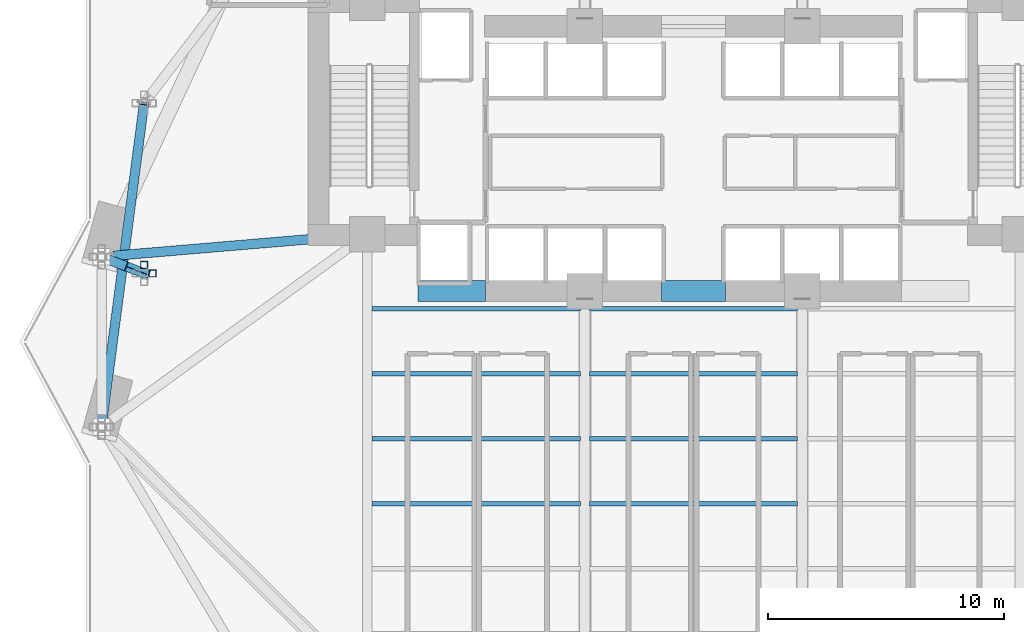
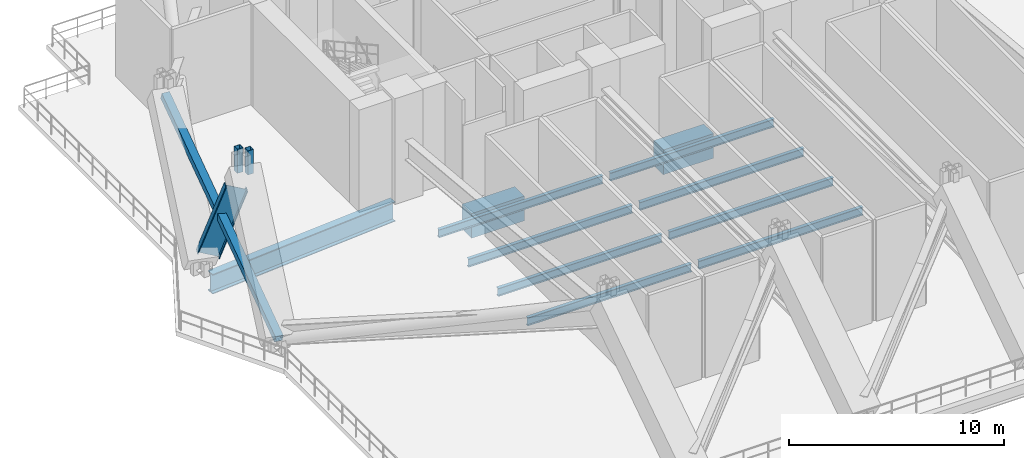
# One storey, part 3 of 21: 12 beams, 3 members.
"""IFC4 building model written with IfcOpenShell, lengths in metres."""

import ifcopenshell
import ifcopenshell.guid

model = None  # the IFC model being written
_history = None  # IfcOwnerHistory: only IFC2X3 demands one
_inside = {}  # id of a spatial element -> (the spatial element, [elements in it])
_under = {}  # id of a project, library or spatial element -> (it, [spatial elements below it])
_declared = {}  # id of a project -> (the project, [libraries it declares])
_typed = {}  # id of a type object -> (the type object, [elements of that type])
_made_of = {}  # id of a material, layer set ... -> (it, [elements and type objects made of it])


def new_model(schema):
    """Start an empty IFC model of exactly this schema.

    Asked for "IFC4X3", IfcOpenShell would pick the latest addendum, in which some entities
    have other attributes; the version numbers below select the first issue.
    IFC2X3 requires an IfcOwnerHistory on every rooted entity: one is made here for all.
    """
    global model, _history
    if schema == "IFC4X3":
        model = ifcopenshell.file(schema_version=(4, 3, 0, 0))
    else:
        model = ifcopenshell.file(schema=schema)
    _inside.clear()
    _under.clear()
    _declared.clear()
    _typed.clear()
    _made_of.clear()
    _history = None
    if model.schema == "IFC2X3":
        org = make("IfcOrganization", Name="unknown")
        user = make(
            "IfcPersonAndOrganization",
            ThePerson=make("IfcPerson", FamilyName="unknown"),
            TheOrganization=org,
        )
        app = make(
            "IfcApplication",
            ApplicationDeveloper=org,
            Version="unknown",
            ApplicationFullName="unknown",
            ApplicationIdentifier="unknown",
        )
        _history = make(
            "IfcOwnerHistory",
            OwningUser=user,
            OwningApplication=app,
            ChangeAction="ADDED",
            CreationDate=0,
        )
    return model


def make(cls, **values):
    """One entity of the class cls with the attributes given. An attribute that is None is left unset."""
    return model.create_entity(
        cls, **{name: value for name, value in values.items() if value is not None}
    )


def rooted(cls, **values):
    """An entity with a GlobalId (a new one), such as an element, a storey or a relation."""
    return make(cls, GlobalId=ifcopenshell.guid.new(), OwnerHistory=_history, **values)


def si_unit(unit_type, name, prefix=None):
    """IfcSIUnit, for example si_unit("LENGTHUNIT", "METRE", prefix="MILLI")."""
    return make("IfcSIUnit", UnitType=unit_type, Prefix=prefix, Name=name)


def assignment(units):
    """IfcUnitAssignment: the units of a project."""
    return None if units is None else make("IfcUnitAssignment", Units=units)


def point(xyz):
    """IfcCartesianPoint."""
    return None if xyz is None else make("IfcCartesianPoint", Coordinates=xyz)


def direction(xyz):
    """IfcDirection."""
    return None if xyz is None else make("IfcDirection", DirectionRatios=xyz)


def frame(location, z_axis=None, x_axis=None):
    """IfcAxis2Placement3D, a coordinate frame: its origin and axes. An axis left out is left unset."""
    return make(
        "IfcAxis2Placement3D",
        Location=point(location),
        Axis=direction(z_axis),
        RefDirection=direction(x_axis),
    )


def frame_2d(location, x_axis=None):
    """IfcAxis2Placement2D, a coordinate frame in the plane: its origin and x axis."""
    return make(
        "IfcAxis2Placement2D", Location=point(location), RefDirection=direction(x_axis)
    )


def origin():
    """The frame at (0, 0, 0) with its axes left unset."""
    return frame((0.0, 0.0, 0.0))


def origin_2d():
    """The frame at (0, 0) in the plane with its x axis left unset."""
    return frame_2d((0.0, 0.0))


def place(relative_to, where):
    """IfcLocalPlacement: puts the frame where relative to a parent placement (None: the world)."""
    return make(
        "IfcLocalPlacement", PlacementRelTo=relative_to, RelativePlacement=where
    )


def context(
    kind, dimensions, precision=None, world=None, true_north=None, identifier=None
):
    """IfcGeometricRepresentationContext, for example the 3D "Model" context."""
    return make(
        "IfcGeometricRepresentationContext",
        ContextIdentifier=identifier,
        ContextType=kind,
        CoordinateSpaceDimension=dimensions,
        Precision=precision,
        WorldCoordinateSystem=world,
        TrueNorth=true_north,
    )


def subcontext(parent, identifier, kind, view, scale=None):
    """IfcGeometricRepresentationSubContext, for example "Body" below "Model"."""
    return make(
        "IfcGeometricRepresentationSubContext",
        ContextIdentifier=identifier,
        ContextType=kind,
        ParentContext=parent,
        TargetScale=scale,
        TargetView=view,
    )


def project(units=None, contexts=None):
    """IfcProject with its units and contexts."""
    return rooted(
        "IfcProject",
        Name="project",
        RepresentationContexts=contexts,
        UnitsInContext=assignment(units),
    )


def spatial(cls, under=None, at=None, **own):
    """A site, building, storey or space (cls), placed at a placement, below another one or the project."""
    s = rooted(cls, ObjectPlacement=at, **own)
    if under is not None:
        _under.setdefault(under.id(), (under, []))[1].append(s)
    return s


def profile(cls, at=None, kind="AREA", **sizes):
    """A parametric profile (cls). Its sizes go by their IFC names, for example OverallWidth=200.0."""
    return make(cls, ProfileType=kind, Position=at, **sizes)


def rectangle(**sizes):
    """IfcRectangleProfileDef."""
    return profile("IfcRectangleProfileDef", **sizes)


def hollow_rectangle(**sizes):
    """IfcRectangleHollowProfileDef."""
    return profile("IfcRectangleHollowProfileDef", **sizes)


def i_section(**sizes):
    """IfcIShapeProfileDef."""
    return profile("IfcIShapeProfileDef", **sizes)


def extrude(swept, where, along, depth):
    """IfcExtrudedAreaSolid: the profile swept, set in the frame where, extruded along a direction by depth."""
    return make(
        "IfcExtrudedAreaSolid",
        SweptArea=swept,
        Position=where,
        ExtrudedDirection=direction(along),
        Depth=depth,
    )


def shape(context_of_items, identifier, shape_type, items):
    """IfcShapeRepresentation: the items that make up one representation, for example the "Body"."""
    return make(
        "IfcShapeRepresentation",
        ContextOfItems=context_of_items,
        RepresentationIdentifier=identifier,
        RepresentationType=shape_type,
        Items=items,
    )


def material(Name=None, Category=None):
    """IfcMaterial."""
    return make("IfcMaterial", Name=Name, Category=Category)


def material_profile(
    of_material, cross_section, Name=None, Category=None, Priority=None
):
    """IfcMaterialProfile: a cross section and its material."""
    return make(
        "IfcMaterialProfile",
        Name=Name,
        Material=of_material,
        Profile=cross_section,
        Priority=Priority,
        Category=Category,
    )


def profile_set(profiles, Name=None, composite=None):
    """IfcMaterialProfileSet."""
    return make(
        "IfcMaterialProfileSet",
        Name=Name,
        MaterialProfiles=profiles,
        CompositeProfile=composite,
    )


def made_of(thing, what):
    """Note that an element or type object is made of a material, layer set ...; save() writes the relation."""
    if what is not None:
        _made_of.setdefault(what.id(), (what, []))[1].append(thing)
    return thing


def type_object(cls, material=None, **own):
    """A type object (cls), such as IfcWallType, which elements share."""
    return made_of(rooted(cls, **own), material)


def element(
    cls,
    number,
    at=None,
    inside=None,
    cuts=None,
    type_object=None,
    material=None,
    context=None,
    identifier="Body",
    shape_type=None,
    held_by="IfcProductDefinitionShape",
    body=None,
    shapes=None,
    **own,
):
    """One element of the class cls, such as IfcWall. Its Tag is "e" and its number.

    at: its placement. inside: the storey or other place that contains it. cuts: it is an
    opening in that element (IfcRelVoidsElement). A single representation is given by context,
    identifier, shape_type and body (its items); several are given by shapes. held_by: the class
    of the entity that holds the representations. save() writes the other relations.
    """
    e = rooted(cls, Tag="e%d" % number, ObjectPlacement=at, **own)
    if body is not None:
        shapes = [shape(context, identifier, shape_type, body)]
    if shapes is not None:
        e.Representation = make(held_by, Representations=shapes)
    if inside is not None:
        _inside.setdefault(inside.id(), (inside, []))[1].append(e)
    if cuts is not None:
        rooted(
            "IfcRelVoidsElement", RelatingBuildingElement=cuts, RelatedOpeningElement=e
        )
    if type_object is not None:
        _typed.setdefault(type_object.id(), (type_object, []))[1].append(e)
    return made_of(e, material)


def aggregate(whole, parts):
    """IfcRelAggregates: a whole, such as a stair, and the parts it consists of."""
    return rooted("IfcRelAggregates", RelatingObject=whole, RelatedObjects=parts)


def save(model, path):
    """Write the relations noted so far, then the file.

    IfcRelAggregates (storeys below a building ...), IfcRelContainedInSpatialStructure (elements
    in a storey), IfcRelDefinesByType, IfcRelAssociatesMaterial and IfcRelDeclares: one each for
    every whole, place, type object, material and project.
    """
    for whole, parts in _under.values():
        aggregate(whole, parts)
    for where, things in _inside.values():
        rooted(
            "IfcRelContainedInSpatialStructure",
            RelatedElements=things,
            RelatingStructure=where,
        )
    for kind, things in _typed.values():
        rooted("IfcRelDefinesByType", RelatedObjects=things, RelatingType=kind)
    for what, things in _made_of.values():
        rooted("IfcRelAssociatesMaterial", RelatedObjects=things, RelatingMaterial=what)
    for by, libraries in _declared.values():
        rooted("IfcRelDeclares", RelatingContext=by, RelatedDefinitions=libraries)
    model.write(path)


model = new_model("IFC4")

# Units and contexts
model_context = context("Model", 3, precision=1e-05, world=origin(), true_north=direction((0.0, 1.0)))
body_context = subcontext(model_context, "Body", "Model", "MODEL_VIEW")
ifc_project = project(units=[si_unit("LENGTHUNIT", "METRE"), si_unit("AREAUNIT", "SQUARE_METRE"), si_unit("VOLUMEUNIT", "CUBIC_METRE"), si_unit("PLANEANGLEUNIT", "RADIAN"), si_unit("MASSUNIT", "GRAM", prefix="KILO")], contexts=[model_context])

# Site, building, storey
site_placement = place(None, origin())
site = spatial("IfcSite", under=ifc_project, at=site_placement, CompositionType="ELEMENT")
building_placement = place(site_placement, origin())
building = spatial("IfcBuilding", under=site, at=building_placement, Name="Zuhayl Quay Hotel", CompositionType="ELEMENT")
storey_placement = place(building_placement, frame((0.0, 0.0, 89.64990234375)))
storey = spatial("IfcBuildingStorey", under=building, at=storey_placement, Name="L22", CompositionType="ELEMENT", Elevation=89.64990234375)

# Beams
ifc_material_1 = material(Name="Concrete C60/75", Category="concrete")
ifc_material_profile_1 = material_profile(ifc_material_1, rectangle(XDim=0.89990234375, YDim=1.39990234375, at=origin_2d()), Name="RC900X1400")
ifc_profile_set_1 = profile_set([ifc_material_profile_1], Name="Concrete C60/75")
beam_type_1 = type_object("IfcBeamType", Name="BM_CB1_RC900", PredefinedType="T_BEAM", material=ifc_profile_set_1)
beam_1_placement = place(storey_placement, frame((-11.64990234375, 2.14990234375, -0.9599609375), z_axis=(1.0, 0.0, 0.0), x_axis=(0.0, 1.0, 0.0)))
element("IfcBeam", 1, at=beam_1_placement, inside=storey, type_object=beam_type_1, Name="L22 Core Coupling Beam SW", PredefinedType="T_BEAM", context=body_context, shape_type="SweptSolid", body=[
    extrude(rectangle(XDim=0.89990234375, YDim=1.39990234375, at=origin_2d()), origin(), (0.0, 0.0, 1.0), 2.849853515625),
])
beam_2_placement = place(storey_placement, frame((-1.35009765625, 2.14990234375, -0.9599609375), z_axis=(1.0, 0.0, 0.0), x_axis=(0.0, 1.0, 0.0)))
element("IfcBeam", 2, at=beam_2_placement, inside=storey, type_object=beam_type_1, Name="L22 Core Coupling Beam South", PredefinedType="T_BEAM", context=body_context, shape_type="SweptSolid", body=[
    extrude(rectangle(XDim=0.89990234375, YDim=1.39990234375, at=origin_2d()), origin(), (0.0, 0.0, 1.0), 2.7001953125),
])
ifc_material_2 = material(Name="Steel ASTM A992 Grade 50", Category="steel")
ifc_material_profile_2 = material_profile(ifc_material_2, i_section(OverallWidth=0.18994140625, OverallDepth=0.45703125, WebThickness=0.009033203125, FlangeThickness=0.014404296875, at=origin_2d()), Name="W18X50")
ifc_profile_set_2 = profile_set([ifc_material_profile_2], Name="Steel ASTM A992 Grade 50")
beam_type_2 = type_object("IfcBeamType", Name="BM_J2_W18X50", PredefinedType="JOIST", material=ifc_profile_set_2)
for number, where, z_axis, x_axis, name in (
    (3, (-13.60595703125, -6.85009765625, -0.48828125), (1.0, 0.0, 0.0), (0.0, 1.0, 0.0), "L22 Floor Beam FJ_L22_7_1"),
    (4, (-4.406005859375, -6.85009765625, -0.48828125), (1.0, 0.0, 0.0), (0.0, 1.0, 0.0), "L22 Floor Beam FJ_L22_7_2"),
    (5, (-13.60595703125, -4.10009765625, -0.48828125), (1.0, 0.0, 0.0), (0.0, 1.0, 0.0), "L22 Floor Beam FJ_L22_8_1"),
    (6, (-4.406005859375, -4.10009765625, -0.48828125), (1.0, 0.0, 0.0), (0.0, 1.0, 0.0), "L22 Floor Beam FJ_L22_8_2"),
    (7, (-13.60595703125, -1.35009765625, -0.48828125), (1.0, 0.0, 0.0), (0.0, 1.0, 0.0), "L22 Floor Beam FJ_L22_9_1"),
    (8, (-4.406005859375, -1.35009765625, -0.48828125), (1.0, 0.0, 0.0), (0.0, 1.0, 0.0), "L22 Floor Beam FJ_L22_9_2"),
    (9, (-13.60595703125, 1.39990234375, -0.48828125), (1.0, 0.0, 0.0), (0.0, 1.0, 0.0), "L22 Floor Beam FJ_L22_10_1"),
    (10, (-4.406005859375, 1.39990234375, -0.48828125), (1.0, 0.0, 0.0), (0.0, 1.0, 0.0), "L22 Floor Beam FJ_L22_10_2"),
):
    element("IfcBeam", number, at=place(storey_placement, frame(where, z_axis=z_axis, x_axis=x_axis)), inside=storey, type_object=beam_type_2, Name=name, PredefinedType="JOIST", context=body_context, shape_type="SweptSolid", body=[
        extrude(i_section(OverallWidth=0.18994140625, OverallDepth=0.45703125, WebThickness=0.009033203125, FlangeThickness=0.014404296875, at=origin_2d()), origin(), (0.0, 0.0, 1.0), 8.81201171875),
    ])
ifc_material_3 = material(Name="Steel ASTM A913 Grade 65", Category="steel")
ifc_material_profile_3 = material_profile(ifc_material_3, i_section(OverallWidth=0.404052734375, OverallDepth=1.117919921875, WebThickness=0.026123046875, FlangeThickness=0.044921875, at=origin_2d()), Name="W44X335")
ifc_profile_set_3 = profile_set([ifc_material_profile_3], Name="Steel ASTM A913 Grade 65")
beam_type_3 = type_object("IfcBeamType", Name="BM_TG1_W44X335", PredefinedType="BEAM", material=ifc_profile_set_3)
beam_3_placement = place(storey_placement, frame((-24.7705078125, 3.4912109375, 0.9501953125), z_axis=(0.317872261693, -0.123571825517, 0.940046397357), x_axis=(0.362331224493, 0.932049399848, 0.0)))
element("IfcBeam", 11, at=beam_3_placement, inside=storey, type_object=beam_type_3, Name="L22 Wind-Floor Inclined Belt Girder 11", PredefinedType="BEAM", context=body_context, shape_type="SweptSolid", body=[
    extrude(i_section(OverallWidth=0.404052734375, OverallDepth=1.117919921875, WebThickness=0.026123046875, FlangeThickness=0.044921875, at=origin_2d()), origin(), (0.0, 0.0, 1.0), 3.904052734375),
])
beam_4_placement = place(storey_placement, frame((-24.5517578125, 3.64208984375, -0.81884765625), z_axis=(0.996453145398, 0.084149444594, 0.0), x_axis=(-0.084149444594, 0.996453145398, 0.0)))
element("IfcBeam", 12, at=beam_4_placement, inside=storey, type_object=beam_type_3, Name="L22 Floor Beam FG_W_L22_2", PredefinedType="BEAM", context=body_context, shape_type="SweptSolid", body=[
    extrude(i_section(OverallWidth=0.404052734375, OverallDepth=1.117919921875, WebThickness=0.026123046875, FlangeThickness=0.044921875, at=origin_2d()), origin(), (0.0, 0.0, 1.0), 10.340087890625),
])

# Members
ifc_material_4 = material(Name="Steel ASTM A500 Grade C", Category="steel")
ifc_material_profile_4 = material_profile(ifc_material_4, hollow_rectangle(XDim=0.39990234375, YDim=0.39990234375, WallThickness=0.01611328125, at=origin_2d()), Name="HSS400X400X16")
ifc_profile_set_4 = profile_set([ifc_material_profile_4], Name="Steel ASTM A500 Grade C")
member_type_1 = type_object("IfcMemberType", Name="MB_BT_DIAG_HSS400", PredefinedType="BRACE", material=ifc_profile_set_4)
member_placement = place(storey_placement, frame((-25.050048828125, -3.60009765625, 0.550048828125), z_axis=(0.122777455703, 0.934460830626, 0.33422844343), x_axis=(-0.991478693976, 0.130268950222, 0.0)))
element("IfcMember", 13, at=member_placement, inside=storey, type_object=member_type_1, Name="L22 Belt Truss BT1 Diagonal W12", PredefinedType="BRACE", context=body_context, shape_type="SweptSolid", body=[
    extrude(hollow_rectangle(XDim=0.39990234375, YDim=0.39990234375, WallThickness=0.01611328125, at=origin_2d()), origin(), (0.0, 0.0, 1.0), 14.6611328125),
])
ifc_material_profile_5 = material_profile(ifc_material_4, hollow_rectangle(XDim=0.300048828125, YDim=0.300048828125, WallThickness=0.012451171875, at=origin_2d()), Name="HSS300X300X12")
ifc_profile_set_5 = profile_set([ifc_material_profile_5], Name="Steel ASTM A500 Grade C")
member_type_2 = type_object("IfcMemberType", Name="MB_CR_BRACE_HSS300", PredefinedType="BRACE", material=ifc_profile_set_5)
for number, where, z_axis, x_axis, name in (
    (14, (-23.25, 3.260009765625, 5.280029296875), (0.0, 0.0, 1.0), (1.0, 0.0, 0.0), "L22 Mega-Column Upper Knuckle Leg MC_W1-2"),
    (15, (-22.889892578125, 2.89990234375, 5.280029296875), (0.0, 0.0, 1.0), (1.0, 0.0, 0.0), "L22 Mega-Column Upper Knuckle Leg MC_W1-4"),
):
    element("IfcMember", number, at=place(storey_placement, frame(where, z_axis=z_axis, x_axis=x_axis)), inside=storey, type_object=member_type_2, Name=name, PredefinedType="STRUT", context=body_context, shape_type="SweptSolid", body=[
        extrude(hollow_rectangle(XDim=0.300048828125, YDim=0.300048828125, WallThickness=0.012451171875, at=origin_2d()), origin(), (0.0, 0.0, 1.0), 1.3701171875),
    ])

save(model, "model.ifc")
